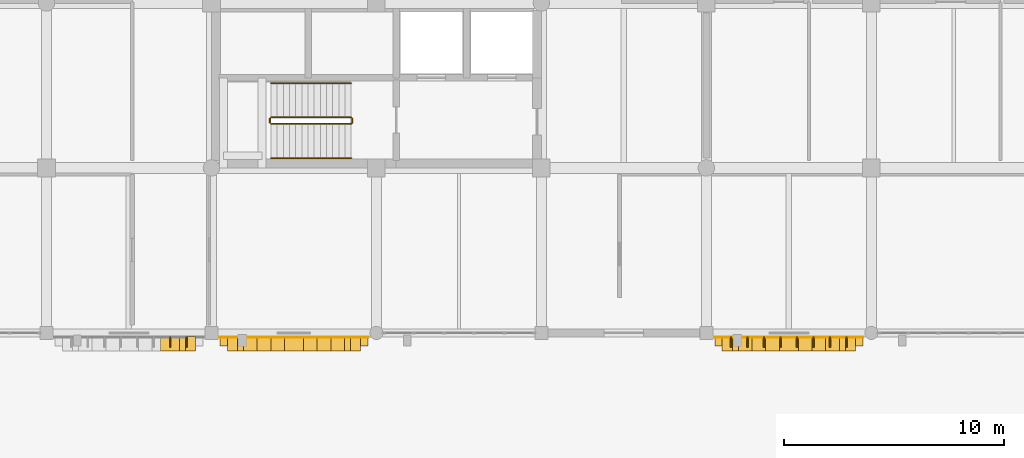
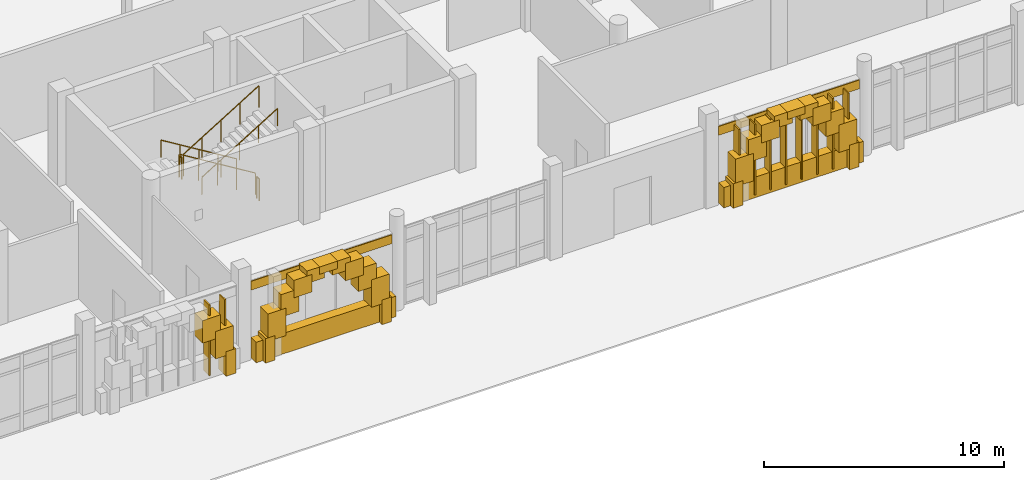
# One storey, part 118 of 125: 29 coverings, 10 shading devices, 6 railings.
"""IFC4 building model written with IfcOpenShell, lengths in metres."""

from ifc_helpers import new_model, si_unit, direction, frame, origin, origin_2d, place, context, subcontext, project, spatial, rectangle, circle, extrude, material, layer, layer_set, type_object, element, save


model = new_model("IFC4")

# Units and contexts
model_context = context("Model", 3, precision=1e-05, world=origin(), true_north=direction((0.0, 1.0)))
body_context = subcontext(model_context, "Body", "Model", "MODEL_VIEW")
ifc_project = project(units=[si_unit("LENGTHUNIT", "METRE"), si_unit("AREAUNIT", "SQUARE_METRE"), si_unit("VOLUMEUNIT", "CUBIC_METRE"), si_unit("PLANEANGLEUNIT", "RADIAN"), si_unit("MASSUNIT", "GRAM", prefix="KILO")], contexts=[model_context])

# Site, building, storey
site_placement = place(None, origin())
site = spatial("IfcSite", under=ifc_project, at=site_placement, CompositionType="ELEMENT")
building_placement = place(site_placement, origin())
building = spatial("IfcBuilding", under=site, at=building_placement, Name="Dalvernix Boulevard General Hospital", CompositionType="ELEMENT")
storey_placement = place(building_placement, origin())
storey = spatial("IfcBuildingStorey", under=building, at=storey_placement, Name="L00", CompositionType="ELEMENT", Elevation=0.0)

# Coverings
ifc_material_1 = material(Name="Pressed Catalan clay brick and dressed limestone parabolic archivolt", Category="masonry")
ifc_layer_1 = layer(ifc_material_1, 0.419921875)
ifc_layer_set_1 = layer_set([ifc_layer_1], Name="Pressed Catalan clay brick and dressed limestone parabolic archivolt (COV-ARC-01)")
covering_type_1 = type_object("IfcCoveringType", Name="COV-ARC-01", PredefinedType="CLADDING", material=ifc_layer_set_1)
covering_1_placement = place(storey_placement, frame((126.550048828125, -0.485107421875, 0.0), z_axis=(0.0, 0.0, 1.0), x_axis=(-1.0, 0.0, 0.0)))
element("IfcCovering", 1, at=covering_1_placement, inside=storey, type_object=covering_type_1, Name="L00 Catalan parabolic arch impost pier S 16-0-L", PredefinedType="CLADDING", context=body_context, shape_type="SweptSolid", body=[
    extrude(rectangle(XDim=0.4599609375, YDim=0.659912109375, at=origin_2d()), origin(), (0.0, 0.0, 1.0), 1.25),
])
covering_2_placement = place(storey_placement, frame((126.239013671875, -0.485107421875, 1.059814453125), z_axis=(0.0, 0.0, 1.0), x_axis=(-1.0, 0.0, 0.0)))
element("IfcCovering", 2, at=covering_2_placement, inside=storey, type_object=covering_type_1, Name="L00 Catalan parabolic archivolt voussoir S 16-0-1", PredefinedType="CLADDING", context=body_context, shape_type="SweptSolid", body=[
    extrude(rectangle(XDim=0.8623046875, YDim=0.659912109375, at=origin_2d()), origin(), (0.0, 0.0, 1.0), 1.3994140625),
])
covering_3_placement = place(storey_placement, frame((125.61669921875, -0.485107421875, 2.07958984375), z_axis=(0.0, 0.0, 1.0), x_axis=(-1.0, 0.0, 0.0)))
element("IfcCovering", 3, at=covering_3_placement, inside=storey, type_object=covering_type_1, Name="L00 Catalan parabolic archivolt voussoir S 16-0-2", PredefinedType="CLADDING", context=body_context, shape_type="SweptSolid", body=[
    extrude(rectangle(XDim=0.8623046875, YDim=0.659912109375, at=origin_2d()), origin(), (0.0, 0.0, 1.0), 1.144287109375),
])
for number, where, z_axis, x_axis, name in (
    (4, (134.050048828125, -0.485107421875, 0.0), (0.0, 0.0, 1.0), (-1.0, 0.0, 0.0), "L00 Catalan parabolic arch impost pier S 17-0-L"),
    (5, (128.449951171875, -0.485107421875, 0.0), (0.0, 0.0, 1.0), (-1.0, 0.0, 0.0), "L00 Catalan parabolic arch impost pier S 17-0-R"),
):
    element("IfcCovering", number, at=place(storey_placement, frame(where, z_axis=z_axis, x_axis=x_axis)), inside=storey, type_object=covering_type_1, Name=name, PredefinedType="CLADDING", context=body_context, shape_type="SweptSolid", body=[
        extrude(rectangle(XDim=0.4599609375, YDim=0.659912109375, at=origin_2d()), origin(), (0.0, 0.0, 1.0), 1.25),
    ])
covering_4_placement = place(storey_placement, frame((133.739013671875, -0.485107421875, 1.059814453125), z_axis=(0.0, 0.0, 1.0), x_axis=(-1.0, 0.0, 0.0)))
element("IfcCovering", 6, at=covering_4_placement, inside=storey, type_object=covering_type_1, Name="L00 Catalan parabolic archivolt voussoir S 17-0-1", PredefinedType="CLADDING", context=body_context, shape_type="SweptSolid", body=[
    extrude(rectangle(XDim=0.8623046875, YDim=0.659912109375, at=origin_2d()), origin(), (0.0, 0.0, 1.0), 1.3994140625),
])
covering_5_placement = place(storey_placement, frame((133.11669921875, -0.485107421875, 2.07958984375), z_axis=(0.0, 0.0, 1.0), x_axis=(-1.0, 0.0, 0.0)))
element("IfcCovering", 7, at=covering_5_placement, inside=storey, type_object=covering_type_1, Name="L00 Catalan parabolic archivolt voussoir S 17-0-2", PredefinedType="CLADDING", context=body_context, shape_type="SweptSolid", body=[
    extrude(rectangle(XDim=0.8623046875, YDim=0.659912109375, at=origin_2d()), origin(), (0.0, 0.0, 1.0), 1.144287109375),
])
covering_6_placement = place(storey_placement, frame((132.494384765625, -0.485107421875, 2.84375), z_axis=(0.0, 0.0, 1.0), x_axis=(-1.0, 0.0, 0.0)))
element("IfcCovering", 8, at=covering_6_placement, inside=storey, type_object=covering_type_1, Name="L00 Catalan parabolic archivolt voussoir S 17-0-3", PredefinedType="CLADDING", context=body_context, shape_type="SweptSolid", body=[
    extrude(rectangle(XDim=0.8623046875, YDim=0.659912109375, at=origin_2d()), origin(), (0.0, 0.0, 1.0), 0.8896484375),
])
covering_7_placement = place(storey_placement, frame((131.872314453125, -0.485107421875, 3.353271484375), z_axis=(0.0, 0.0, 1.0), x_axis=(-1.0, 0.0, 0.0)))
element("IfcCovering", 9, at=covering_7_placement, inside=storey, type_object=covering_type_1, Name="L00 Catalan parabolic archivolt voussoir S 17-0-4", PredefinedType="CLADDING", context=body_context, shape_type="SweptSolid", body=[
    extrude(rectangle(XDim=0.8623046875, YDim=0.659912109375, at=origin_2d()), origin(), (0.0, 0.0, 1.0), 0.634765625),
])
covering_8_placement = place(storey_placement, frame((131.25, -0.485107421875, 3.608154296875), z_axis=(0.0, 0.0, 1.0), x_axis=(-1.0, 0.0, 0.0)))
element("IfcCovering", 10, at=covering_8_placement, inside=storey, type_object=covering_type_1, Name="L00 Catalan parabolic archivolt voussoir S 17-0-5", PredefinedType="CLADDING", context=body_context, shape_type="SweptSolid", body=[
    extrude(rectangle(XDim=0.8623046875, YDim=0.659912109375, at=origin_2d()), origin(), (0.0, 0.0, 1.0), 0.3798828125),
])
covering_9_placement = place(storey_placement, frame((130.627685546875, -0.485107421875, 3.353271484375), z_axis=(0.0, 0.0, 1.0), x_axis=(-1.0, 0.0, 0.0)))
element("IfcCovering", 11, at=covering_9_placement, inside=storey, type_object=covering_type_1, Name="L00 Catalan parabolic archivolt voussoir S 17-0-6", PredefinedType="CLADDING", context=body_context, shape_type="SweptSolid", body=[
    extrude(rectangle(XDim=0.8623046875, YDim=0.659912109375, at=origin_2d()), origin(), (0.0, 0.0, 1.0), 0.634765625),
])
covering_10_placement = place(storey_placement, frame((130.005615234375, -0.485107421875, 2.84375), z_axis=(0.0, 0.0, 1.0), x_axis=(-1.0, 0.0, 0.0)))
element("IfcCovering", 12, at=covering_10_placement, inside=storey, type_object=covering_type_1, Name="L00 Catalan parabolic archivolt voussoir S 17-0-7", PredefinedType="CLADDING", context=body_context, shape_type="SweptSolid", body=[
    extrude(rectangle(XDim=0.8623046875, YDim=0.659912109375, at=origin_2d()), origin(), (0.0, 0.0, 1.0), 0.8896484375),
])
covering_11_placement = place(storey_placement, frame((129.38330078125, -0.485107421875, 2.07958984375), z_axis=(0.0, 0.0, 1.0), x_axis=(-1.0, 0.0, 0.0)))
element("IfcCovering", 13, at=covering_11_placement, inside=storey, type_object=covering_type_1, Name="L00 Catalan parabolic archivolt voussoir S 17-0-8", PredefinedType="CLADDING", context=body_context, shape_type="SweptSolid", body=[
    extrude(rectangle(XDim=0.8623046875, YDim=0.659912109375, at=origin_2d()), origin(), (0.0, 0.0, 1.0), 1.144287109375),
])
covering_12_placement = place(storey_placement, frame((128.760986328125, -0.485107421875, 1.059814453125), z_axis=(0.0, 0.0, 1.0), x_axis=(-1.0, 0.0, 0.0)))
element("IfcCovering", 14, at=covering_12_placement, inside=storey, type_object=covering_type_1, Name="L00 Catalan parabolic archivolt voussoir S 17-0-9", PredefinedType="CLADDING", context=body_context, shape_type="SweptSolid", body=[
    extrude(rectangle(XDim=0.8623046875, YDim=0.659912109375, at=origin_2d()), origin(), (0.0, 0.0, 1.0), 1.3994140625),
])
for number, where, z_axis, x_axis, name in (
    (15, (156.550048828125, -0.485107421875, 0.0), (0.0, 0.0, 1.0), (-1.0, 0.0, 0.0), "L00 Catalan parabolic arch impost pier S 20-0-L"),
    (16, (150.949951171875, -0.485107421875, 0.0), (0.0, 0.0, 1.0), (-1.0, 0.0, 0.0), "L00 Catalan parabolic arch impost pier S 20-0-R"),
):
    element("IfcCovering", number, at=place(storey_placement, frame(where, z_axis=z_axis, x_axis=x_axis)), inside=storey, type_object=covering_type_1, Name=name, PredefinedType="CLADDING", context=body_context, shape_type="SweptSolid", body=[
        extrude(rectangle(XDim=0.4599609375, YDim=0.659912109375, at=origin_2d()), origin(), (0.0, 0.0, 1.0), 1.25),
    ])
covering_13_placement = place(storey_placement, frame((156.239013671875, -0.485107421875, 1.059814453125), z_axis=(0.0, 0.0, 1.0), x_axis=(-1.0, 0.0, 0.0)))
element("IfcCovering", 17, at=covering_13_placement, inside=storey, type_object=covering_type_1, Name="L00 Catalan parabolic archivolt voussoir S 20-0-1", PredefinedType="CLADDING", context=body_context, shape_type="SweptSolid", body=[
    extrude(rectangle(XDim=0.8623046875, YDim=0.659912109375, at=origin_2d()), origin(), (0.0, 0.0, 1.0), 1.3994140625),
])
covering_14_placement = place(storey_placement, frame((155.61669921875, -0.485107421875, 2.07958984375), z_axis=(0.0, 0.0, 1.0), x_axis=(-1.0, 0.0, 0.0)))
element("IfcCovering", 18, at=covering_14_placement, inside=storey, type_object=covering_type_1, Name="L00 Catalan parabolic archivolt voussoir S 20-0-2", PredefinedType="CLADDING", context=body_context, shape_type="SweptSolid", body=[
    extrude(rectangle(XDim=0.8623046875, YDim=0.659912109375, at=origin_2d()), origin(), (0.0, 0.0, 1.0), 1.144287109375),
])
covering_15_placement = place(storey_placement, frame((154.994384765625, -0.485107421875, 2.84375), z_axis=(0.0, 0.0, 1.0), x_axis=(-1.0, 0.0, 0.0)))
element("IfcCovering", 19, at=covering_15_placement, inside=storey, type_object=covering_type_1, Name="L00 Catalan parabolic archivolt voussoir S 20-0-3", PredefinedType="CLADDING", context=body_context, shape_type="SweptSolid", body=[
    extrude(rectangle(XDim=0.8623046875, YDim=0.659912109375, at=origin_2d()), origin(), (0.0, 0.0, 1.0), 0.8896484375),
])
covering_16_placement = place(storey_placement, frame((154.372314453125, -0.485107421875, 3.353271484375), z_axis=(0.0, 0.0, 1.0), x_axis=(-1.0, 0.0, 0.0)))
element("IfcCovering", 20, at=covering_16_placement, inside=storey, type_object=covering_type_1, Name="L00 Catalan parabolic archivolt voussoir S 20-0-4", PredefinedType="CLADDING", context=body_context, shape_type="SweptSolid", body=[
    extrude(rectangle(XDim=0.8623046875, YDim=0.659912109375, at=origin_2d()), origin(), (0.0, 0.0, 1.0), 0.634765625),
])
covering_17_placement = place(storey_placement, frame((153.75, -0.485107421875, 3.608154296875), z_axis=(0.0, 0.0, 1.0), x_axis=(-1.0, 0.0, 0.0)))
element("IfcCovering", 21, at=covering_17_placement, inside=storey, type_object=covering_type_1, Name="L00 Catalan parabolic archivolt voussoir S 20-0-5", PredefinedType="CLADDING", context=body_context, shape_type="SweptSolid", body=[
    extrude(rectangle(XDim=0.8623046875, YDim=0.659912109375, at=origin_2d()), origin(), (0.0, 0.0, 1.0), 0.3798828125),
])
covering_18_placement = place(storey_placement, frame((153.127685546875, -0.485107421875, 3.353271484375), z_axis=(0.0, 0.0, 1.0), x_axis=(-1.0, 0.0, 0.0)))
element("IfcCovering", 22, at=covering_18_placement, inside=storey, type_object=covering_type_1, Name="L00 Catalan parabolic archivolt voussoir S 20-0-6", PredefinedType="CLADDING", context=body_context, shape_type="SweptSolid", body=[
    extrude(rectangle(XDim=0.8623046875, YDim=0.659912109375, at=origin_2d()), origin(), (0.0, 0.0, 1.0), 0.634765625),
])
covering_19_placement = place(storey_placement, frame((152.505615234375, -0.485107421875, 2.84375), z_axis=(0.0, 0.0, 1.0), x_axis=(-1.0, 0.0, 0.0)))
element("IfcCovering", 23, at=covering_19_placement, inside=storey, type_object=covering_type_1, Name="L00 Catalan parabolic archivolt voussoir S 20-0-7", PredefinedType="CLADDING", context=body_context, shape_type="SweptSolid", body=[
    extrude(rectangle(XDim=0.8623046875, YDim=0.659912109375, at=origin_2d()), origin(), (0.0, 0.0, 1.0), 0.8896484375),
])
covering_20_placement = place(storey_placement, frame((151.88330078125, -0.485107421875, 2.07958984375), z_axis=(0.0, 0.0, 1.0), x_axis=(-1.0, 0.0, 0.0)))
element("IfcCovering", 24, at=covering_20_placement, inside=storey, type_object=covering_type_1, Name="L00 Catalan parabolic archivolt voussoir S 20-0-8", PredefinedType="CLADDING", context=body_context, shape_type="SweptSolid", body=[
    extrude(rectangle(XDim=0.8623046875, YDim=0.659912109375, at=origin_2d()), origin(), (0.0, 0.0, 1.0), 1.144287109375),
])
covering_21_placement = place(storey_placement, frame((151.260986328125, -0.485107421875, 1.059814453125), z_axis=(0.0, 0.0, 1.0), x_axis=(-1.0, 0.0, 0.0)))
element("IfcCovering", 25, at=covering_21_placement, inside=storey, type_object=covering_type_1, Name="L00 Catalan parabolic archivolt voussoir S 20-0-9", PredefinedType="CLADDING", context=body_context, shape_type="SweptSolid", body=[
    extrude(rectangle(XDim=0.8623046875, YDim=0.659912109375, at=origin_2d()), origin(), (0.0, 0.0, 1.0), 1.3994140625),
])
ifc_material_2 = material(Name="Polychrome Catalan glazed ceramic spandrel tile panel")
ifc_layer_2 = layer(ifc_material_2, 0.044921875)
ifc_layer_set_2 = layer_set([ifc_layer_2], Name="Polychrome Catalan glazed ceramic spandrel tile panel (COV-CLD-01)")
covering_type_2 = type_object("IfcCoveringType", Name="COV-CLD-01", PredefinedType="CLADDING", material=ifc_layer_set_2)
for number, where, z_axis, x_axis, name in (
    (26, (131.25, -0.195068359375, 3.47509765625), (0.0, 0.0, 1.0), (-1.0, 0.0, 0.0), "L00 polychrome ceramic spandrel S 17-0"),
    (27, (153.75, -0.195068359375, 3.47509765625), (0.0, 0.0, 1.0), (-1.0, 0.0, 0.0), "L00 polychrome ceramic spandrel S 20-0"),
):
    element("IfcCovering", number, at=place(storey_placement, frame(where, z_axis=z_axis, x_axis=x_axis)), inside=storey, type_object=covering_type_2, Name=name, PredefinedType="CLADDING", context=body_context, shape_type="SweptSolid", body=[
        extrude(rectangle(XDim=6.780029296875, YDim=0.044921875, at=origin_2d()), origin(), (0.0, 0.0, 1.0), 0.449951171875),
    ])
ifc_material_3 = material(Name="Dressed ochre limestone classical plinth, stringcourse and corbelled cornice", Category="masonry")
ifc_layer_3 = layer(ifc_material_3, 0.449951171875)
ifc_layer_set_3 = layer_set([ifc_layer_3], Name="Dressed ochre limestone classical plinth, stringcourse and corbelled cornice (COV-CRN-01)")
covering_type_3 = type_object("IfcCoveringType", Name="COV-CRN-01", PredefinedType="CLADDING", material=ifc_layer_set_3)
for number, where, z_axis, x_axis, name in (
    (28, (131.25, -0.375, 0.0), (0.0, 0.0, 1.0), (-1.0, 0.0, 0.0), "L00 rusticated limestone classical plinth S 17-0"),
    (29, (153.75, -0.375, 0.0), (0.0, 0.0, 1.0), (-1.0, 0.0, 0.0), "L00 rusticated limestone classical plinth S 20-0"),
):
    element("IfcCovering", number, at=place(storey_placement, frame(where, z_axis=z_axis, x_axis=x_axis)), inside=storey, type_object=covering_type_3, Name=name, PredefinedType="CLADDING", context=body_context, shape_type="SweptSolid", body=[
        extrude(rectangle(XDim=6.719970703125, YDim=0.43994140625, at=origin_2d()), origin(), (0.0, 0.0, 1.0), 1.0400390625),
    ])

# Railings
ifc_material_4 = material(Name="Brushed stainless steel balustrade", Category="steel")
railing_type_1 = type_object("IfcRailingType", Name="RL-GR-INT1", PredefinedType="BALUSTRADE", material=ifc_material_4)
railing_1_placement = place(storey_placement, frame((133.85009765625, 9.800048828125, 0.17138671875)))
element("IfcRailing", 30, at=railing_1_placement, inside=storey, type_object=railing_type_1, Name="L00 ST-05 stair guard 1", PredefinedType="BALUSTRADE", context=body_context, shape_type="SweptSolid", body=[
    extrude(circle(Radius=0.02392578125, at=origin_2d()), frame((0.0, 0.0, 1.09619140625), z_axis=(-0.852865859571, 0.0, 0.52213008492), x_axis=(0.0, -1.0, 0.0)), (0.0, 0.0, 1.0), 4.26806640625),
    extrude(circle(Radius=0.02099609375, at=origin_2d()), origin(), (0.0, 0.0, 1.0), 1.072021484375),
    extrude(circle(Radius=0.02099609375, at=origin_2d()), frame((-0.91015625, 0.0, 0.55712890625)), (0.0, 0.0, 1.0), 1.072021484375),
    extrude(circle(Radius=0.02099609375, at=origin_2d()), frame((-1.820068359375, 0.0, 1.1142578125)), (0.0, 0.0, 1.0), 1.072021484375),
    extrude(circle(Radius=0.02099609375, at=origin_2d()), frame((-2.72998046875, 0.0, 1.67138671875)), (0.0, 0.0, 1.0), 1.072021484375),
    extrude(circle(Radius=0.02099609375, at=origin_2d()), frame((-3.64013671875, 0.0, 2.228515625)), (0.0, 0.0, 1.0), 1.072021484375),
])
railing_2_placement = place(storey_placement, frame((130.159912109375, 9.75, 2.39990234375)))
element("IfcRailing", 31, at=railing_2_placement, inside=storey, type_object=railing_type_1, Name="L00 ST-05 stair guard 2", PredefinedType="BALUSTRADE", context=body_context, shape_type="SweptSolid", body=[
    extrude(circle(Radius=0.02392578125, at=origin_2d()), frame((0.0, 0.0, 1.09619140625), z_axis=(0.0, -1.0, 0.0), x_axis=(1.0, 0.0, 0.0)), (0.0, 0.0, 1.0), 0.199951171875),
    extrude(circle(Radius=0.02099609375, at=origin_2d()), origin(), (0.0, 0.0, 1.0), 1.072021484375),
    extrude(circle(Radius=0.02099609375, at=origin_2d()), frame((0.0, -0.199951171875, 0.0)), (0.0, 0.0, 1.0), 1.072021484375),
])
railing_3_placement = place(storey_placement, frame((130.2099609375, 9.5, 2.571533203125)))
element("IfcRailing", 32, at=railing_3_placement, inside=storey, type_object=railing_type_1, Name="L00 ST-05 stair guard 3", PredefinedType="BALUSTRADE", context=body_context, shape_type="SweptSolid", body=[
    extrude(circle(Radius=0.02392578125, at=origin_2d()), frame((0.0, 0.0, 1.09619140625), z_axis=(0.852865859571, 0.0, 0.52213008492), x_axis=(0.0, 1.0, 0.0)), (0.0, 0.0, 1.0), 4.26806640625),
    extrude(circle(Radius=0.02099609375, at=origin_2d()), origin(), (0.0, 0.0, 1.0), 1.072021484375),
    extrude(circle(Radius=0.02099609375, at=origin_2d()), frame((0.91015625, 0.0, 0.55712890625)), (0.0, 0.0, 1.0), 1.072021484375),
    extrude(circle(Radius=0.02099609375, at=origin_2d()), frame((1.820068359375, 0.0, 1.1142578125)), (0.0, 0.0, 1.0), 1.072021484375),
    extrude(circle(Radius=0.02099609375, at=origin_2d()), frame((2.72998046875, 0.0, 1.67138671875)), (0.0, 0.0, 1.0), 1.072021484375),
    extrude(circle(Radius=0.02099609375, at=origin_2d()), frame((3.64013671875, 0.0, 2.228515625)), (0.0, 0.0, 1.0), 1.072021484375),
])
railing_4_placement = place(storey_placement, frame((133.89990234375, 9.75, 0.0)))
element("IfcRailing", 33, at=railing_4_placement, inside=storey, type_object=railing_type_1, Name="L00 ST-05 stair guard 4", PredefinedType="BALUSTRADE", context=body_context, shape_type="SweptSolid", body=[
    extrude(circle(Radius=0.02392578125, at=origin_2d()), frame((0.0, 0.0, 1.09619140625), z_axis=(0.0, -1.0, 0.0), x_axis=(1.0, 0.0, 0.0)), (0.0, 0.0, 1.0), 0.199951171875),
    extrude(circle(Radius=0.02099609375, at=origin_2d()), origin(), (0.0, 0.0, 1.0), 1.072021484375),
    extrude(circle(Radius=0.02099609375, at=origin_2d()), frame((0.0, -0.199951171875, 0.0)), (0.0, 0.0, 1.0), 1.072021484375),
])
ifc_material_5 = material(Name="Brushed stainless steel wall handrail", Category="steel")
railing_type_2 = type_object("IfcRailingType", Name="RL-HR-INT1", PredefinedType="HANDRAIL", material=ifc_material_5)
railing_5_placement = place(storey_placement, frame((133.85009765625, 11.35009765625, 0.17138671875)))
element("IfcRailing", 34, at=railing_5_placement, inside=storey, type_object=railing_type_2, Name="L00 ST-05 stair handrail 1", PredefinedType="HANDRAIL", context=body_context, shape_type="SweptSolid", body=[
    extrude(circle(Radius=0.02392578125, at=origin_2d()), frame((0.0, 0.0, 0.8759765625), z_axis=(-0.852865859571, 0.0, 0.52213008492), x_axis=(0.0, -1.0, 0.0)), (0.0, 0.0, 1.0), 4.26806640625),
    extrude(circle(Radius=0.02099609375, at=origin_2d()), origin(), (0.0, 0.0, 1.0), 0.851806640625),
    extrude(circle(Radius=0.02099609375, at=origin_2d()), frame((-0.91015625, 0.0, 0.55712890625)), (0.0, 0.0, 1.0), 0.851806640625),
    extrude(circle(Radius=0.02099609375, at=origin_2d()), frame((-1.820068359375, 0.0, 1.1142578125)), (0.0, 0.0, 1.0), 0.851806640625),
    extrude(circle(Radius=0.02099609375, at=origin_2d()), frame((-2.72998046875, 0.0, 1.67138671875)), (0.0, 0.0, 1.0), 0.851806640625),
    extrude(circle(Radius=0.02099609375, at=origin_2d()), frame((-3.64013671875, 0.0, 2.228515625)), (0.0, 0.0, 1.0), 0.851806640625),
])
railing_6_placement = place(storey_placement, frame((130.2099609375, 7.949951171875, 2.571533203125)))
element("IfcRailing", 35, at=railing_6_placement, inside=storey, type_object=railing_type_2, Name="L00 ST-05 stair handrail 2", PredefinedType="HANDRAIL", context=body_context, shape_type="SweptSolid", body=[
    extrude(circle(Radius=0.02392578125, at=origin_2d()), frame((0.0, 0.0, 0.8759765625), z_axis=(0.852865859571, 0.0, 0.52213008492), x_axis=(0.0, 1.0, 0.0)), (0.0, 0.0, 1.0), 4.26806640625),
    extrude(circle(Radius=0.02099609375, at=origin_2d()), origin(), (0.0, 0.0, 1.0), 0.851806640625),
    extrude(circle(Radius=0.02099609375, at=origin_2d()), frame((0.91015625, 0.0, 0.55712890625)), (0.0, 0.0, 1.0), 0.851806640625),
    extrude(circle(Radius=0.02099609375, at=origin_2d()), frame((1.820068359375, 0.0, 1.1142578125)), (0.0, 0.0, 1.0), 0.851806640625),
    extrude(circle(Radius=0.02099609375, at=origin_2d()), frame((2.72998046875, 0.0, 1.67138671875)), (0.0, 0.0, 1.0), 0.851806640625),
    extrude(circle(Radius=0.02099609375, at=origin_2d()), frame((3.64013671875, 0.0, 2.228515625)), (0.0, 0.0, 1.0), 0.851806640625),
])

# Shading devices
ifc_material_6 = material(Name="Preservative-treated West African iroko timber", Category="wood")
shading_device_type = type_object("IfcShadingDeviceType", Name="SHD-FIN-01", PredefinedType="USERDEFINED", material=ifc_material_6)
for number, where, z_axis, x_axis, name in (
    (36, (126.375, -0.405029296875, 0.175048828125), (0.0, 0.0, 1.0), (-1.0, 0.0, 0.0), "L00 iroko brise-soleil fin 1"),
    (37, (125.625, -0.405029296875, 0.175048828125), (0.0, 0.0, 1.0), (-1.0, 0.0, 0.0), "L00 iroko brise-soleil fin 2"),
    (38, (156.375, -0.405029296875, 0.175048828125), (0.0, 0.0, 1.0), (-1.0, 0.0, 0.0), "L00 iroko brise-soleil fin 1"),
    (39, (155.625, -0.405029296875, 0.175048828125), (0.0, 0.0, 1.0), (-1.0, 0.0, 0.0), "L00 iroko brise-soleil fin 2"),
    (40, (154.875, -0.405029296875, 0.175048828125), (0.0, 0.0, 1.0), (-1.0, 0.0, 0.0), "L00 iroko brise-soleil fin 3"),
    (41, (154.125, -0.405029296875, 0.175048828125), (0.0, 0.0, 1.0), (-1.0, 0.0, 0.0), "L00 iroko brise-soleil fin 4"),
    (42, (153.375, -0.405029296875, 0.175048828125), (0.0, 0.0, 1.0), (-1.0, 0.0, 0.0), "L00 iroko brise-soleil fin 5"),
    (43, (152.625, -0.405029296875, 0.175048828125), (0.0, 0.0, 1.0), (-1.0, 0.0, 0.0), "L00 iroko brise-soleil fin 6"),
    (44, (151.875, -0.405029296875, 0.175048828125), (0.0, 0.0, 1.0), (-1.0, 0.0, 0.0), "L00 iroko brise-soleil fin 7"),
    (45, (151.125, -0.405029296875, 0.175048828125), (0.0, 0.0, 1.0), (-1.0, 0.0, 0.0), "L00 iroko brise-soleil fin 8"),
):
    element("IfcShadingDevice", number, at=place(storey_placement, frame(where, z_axis=z_axis, x_axis=x_axis)), inside=storey, type_object=shading_device_type, Name=name, ObjectType="FIN", PredefinedType="USERDEFINED", context=body_context, shape_type="SweptSolid", body=[
        extrude(rectangle(XDim=0.06494140625, YDim=0.47998046875, at=origin_2d()), origin(), (0.0, 0.0, 1.0), 3.60009765625),
    ])

save(model, "model.ifc")
